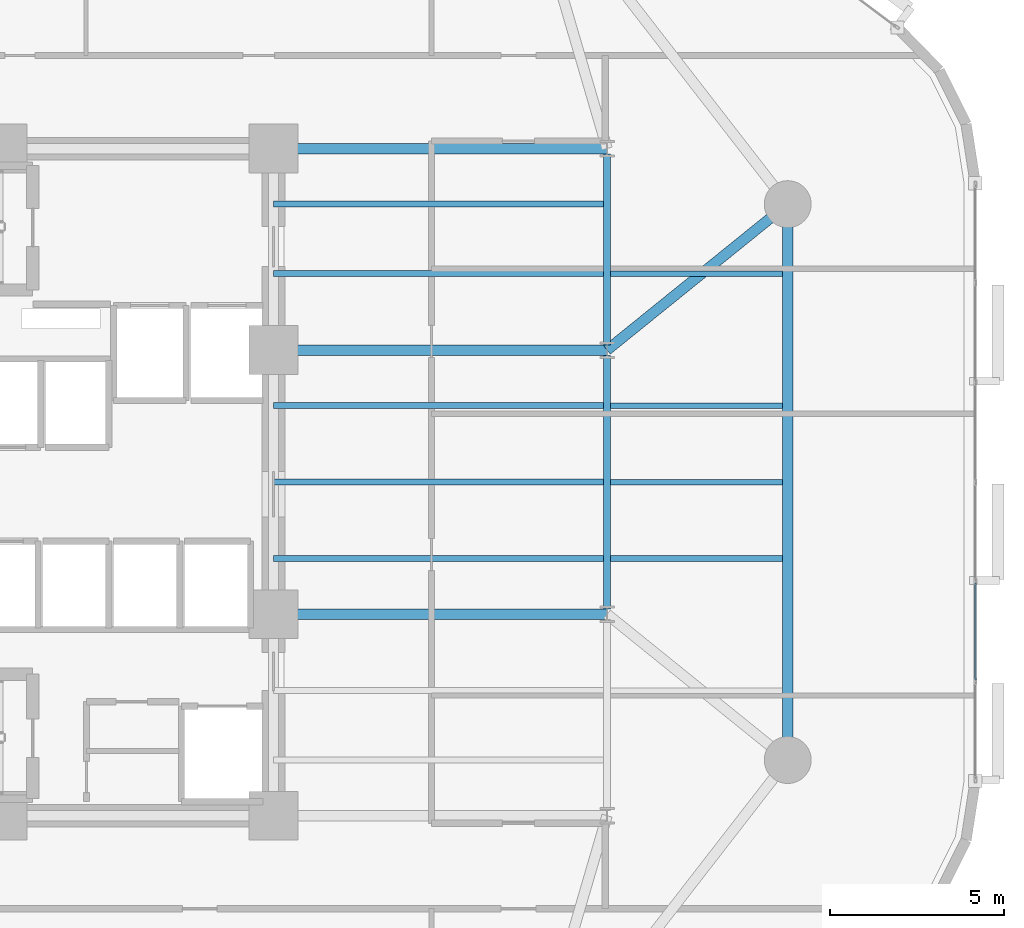
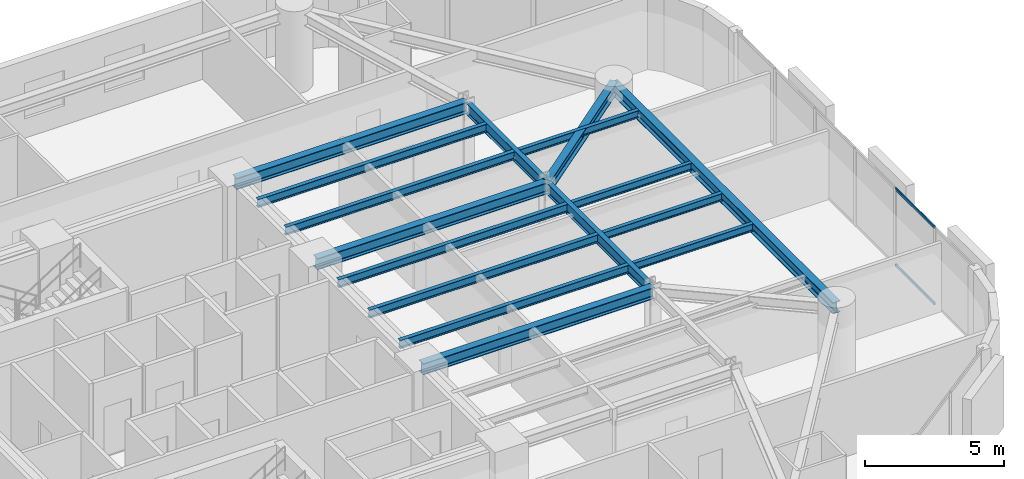
# One storey, part 5 of 15: 16 beams, 2 members, 1 element without a shape of its own.
"""IFC4 building model written with IfcOpenShell, lengths in metres."""

from ifc_helpers import new_model, si_unit, direction, frame, origin, origin_2d, place, context, subcontext, project, spatial, hollow_rectangle, i_section, extrude, material, layer, layer_set, material_profile, profile_set, type_object, element, aggregate, save


model = new_model("IFC4")

# Units and contexts
model_context = context("Model", 3, precision=1e-05, world=origin(), true_north=direction((0.0, 1.0)))
body_context = subcontext(model_context, "Body", "Model", "MODEL_VIEW")
ifc_project = project(units=[si_unit("LENGTHUNIT", "METRE"), si_unit("AREAUNIT", "SQUARE_METRE"), si_unit("VOLUMEUNIT", "CUBIC_METRE"), si_unit("PLANEANGLEUNIT", "RADIAN"), si_unit("MASSUNIT", "GRAM", prefix="KILO")], contexts=[model_context])

# Site, building, storey
site_placement = place(None, origin())
site = spatial("IfcSite", under=ifc_project, at=site_placement, CompositionType="ELEMENT")
building_placement = place(site_placement, origin())
building = spatial("IfcBuilding", under=site, at=building_placement, Name="An Khanh Terracotta Commons", CompositionType="ELEMENT")
storey_placement = place(building_placement, frame((0.0, 0.0, 122.300048828125)))
storey = spatial("IfcBuildingStorey", under=building, at=storey_placement, Name="L32", CompositionType="ELEMENT", Elevation=122.300048828125)

# Beams
ifc_material_1 = material(Name="Steel S355J2", Category="steel")
ifc_material_profile_1 = material_profile(ifc_material_1, i_section(OverallWidth=0.300048828125, OverallDepth=0.5, WebThickness=0.014404296875, FlangeThickness=0.028076171875, FilletRadius=0.027099609375, at=origin_2d()), Name="HEB500")
ifc_profile_set_1 = profile_set([ifc_material_profile_1], Name="Steel S355J2")
beam_type_1 = type_object("IfcBeamType", Name="BM-HEB500", PredefinedType="BEAM", material=ifc_profile_set_1)
beam_1_placement = place(storey_placement, frame((52.0, 16.0, 3.14990234375), z_axis=(0.0, 1.0, 0.0), x_axis=(-1.0, 0.0, 0.0)))
element("IfcBeam", 1, at=beam_1_placement, inside=storey, type_object=beam_type_1, Name="L32 Perimeter Ring Spandrel 3", PredefinedType="BEAM", context=body_context, shape_type="SweptSolid", body=[
    extrude(i_section(OverallWidth=0.300048828125, OverallDepth=0.5, WebThickness=0.014404296875, FlangeThickness=0.028076171875, FilletRadius=0.027099609375, at=origin_2d()), origin(), (0.0, 0.0, 1.0), 16.0),
])
for number, where, z_axis, x_axis, name in (
    (2, (37.199951171875, 20.199951171875, 3.14990234375), (1.0, 0.0, 0.0), (0.0, 1.0, 0.0), "L32 East Primary Floor Girder 2"),
    (3, (37.199951171875, 27.800048828125, 3.14990234375), (1.0, 0.0, 0.0), (0.0, 1.0, 0.0), "L32 East Primary Floor Girder 3"),
    (4, (37.199951171875, 33.60009765625, 3.14990234375), (1.0, 0.0, 0.0), (0.0, 1.0, 0.0), "L32 East Primary Floor Girder 4"),
):
    element("IfcBeam", number, at=place(storey_placement, frame(where, z_axis=z_axis, x_axis=x_axis)), inside=storey, type_object=beam_type_1, Name=name, PredefinedType="BEAM", context=body_context, shape_type="SweptSolid", body=[
        extrude(i_section(OverallWidth=0.300048828125, OverallDepth=0.5, WebThickness=0.014404296875, FlangeThickness=0.028076171875, FilletRadius=0.027099609375, at=origin_2d()), origin(), (0.0, 0.0, 1.0), 9.60009765625),
    ])
beam_2_placement = place(storey_placement, frame((52.0, 32.0, 3.14990234375), z_axis=(-0.777941866883, -0.628336256913, 0.0), x_axis=(0.628336256913, -0.777941866883, 0.0)))
element("IfcBeam", 5, at=beam_2_placement, inside=storey, type_object=beam_type_1, Name="L32 Mega-Column Tie Girder 4", PredefinedType="BEAM", context=body_context, shape_type="SweptSolid", body=[
    extrude(i_section(OverallWidth=0.300048828125, OverallDepth=0.5, WebThickness=0.014404296875, FlangeThickness=0.028076171875, FilletRadius=0.027099609375, at=origin_2d()), origin(), (0.0, 0.0, 1.0), 6.684326171875),
])
ifc_material_profile_2 = material_profile(ifc_material_1, i_section(OverallWidth=0.159912109375, OverallDepth=0.330078125, WebThickness=0.007568359375, FlangeThickness=0.011474609375, FilletRadius=0.01806640625, at=origin_2d()), Name="IPE330")
ifc_profile_set_2 = profile_set([ifc_material_profile_2], Name="Steel S355J2")
beam_type_2 = type_object("IfcBeamType", Name="BM-IPE330", PredefinedType="JOIST", material=ifc_profile_set_2)
for number, where, z_axis, x_axis, name in (
    (6, (46.89990234375, 21.800048828125, 3.23486328125), (1.0, 0.0, 0.0), (0.0, 1.0, 0.0), "L32 Riverfront Composite Joist 3"),
    (7, (46.89990234375, 24.0, 3.23486328125), (1.0, 0.0, 0.0), (0.0, 1.0, 0.0), "L32 Riverfront Composite Joist 4"),
    (8, (46.89990234375, 26.199951171875, 3.23486328125), (1.0, 0.0, 0.0), (0.0, 1.0, 0.0), "L32 Riverfront Composite Joist 5"),
    (9, (46.89990234375, 30.0, 3.23486328125), (1.0, 0.0, 0.0), (0.0, 1.0, 0.0), "L32 Riverfront Composite Joist 6"),
):
    element("IfcBeam", number, at=place(storey_placement, frame(where, z_axis=z_axis, x_axis=x_axis)), inside=storey, type_object=beam_type_2, Name=name, PredefinedType="JOIST", context=body_context, shape_type="SweptSolid", body=[
        extrude(i_section(OverallWidth=0.159912109375, OverallDepth=0.330078125, WebThickness=0.007568359375, FlangeThickness=0.011474609375, FilletRadius=0.01806640625, at=origin_2d()), origin(), (0.0, 0.0, 1.0), 4.9501953125),
    ])
ifc_material_profile_3 = material_profile(ifc_material_1, i_section(OverallWidth=0.169921875, OverallDepth=0.360107421875, WebThickness=0.008056640625, FlangeThickness=0.0126953125, FilletRadius=0.01806640625, at=origin_2d()), Name="IPE360")
ifc_profile_set_3 = profile_set([ifc_material_profile_3], Name="Steel S355J2")
beam_type_3 = type_object("IfcBeamType", Name="BM-IPE360", PredefinedType="JOIST", material=ifc_profile_set_3)
for number, where, z_axis, x_axis, name in (
    (10, (37.199951171875, 21.800048828125, 3.219970703125), (1.0, 0.0, 0.0), (0.0, 1.0, 0.0), "L32 Inboard Composite Joist 3"),
    (11, (37.199951171875, 24.0, 3.219970703125), (1.0, 0.0, 0.0), (0.0, 1.0, 0.0), "L32 Inboard Composite Joist 4"),
    (12, (37.199951171875, 26.199951171875, 3.219970703125), (1.0, 0.0, 0.0), (0.0, 1.0, 0.0), "L32 Inboard Composite Joist 5"),
    (13, (37.199951171875, 30.0, 3.219970703125), (1.0, 0.0, 0.0), (0.0, 1.0, 0.0), "L32 Inboard Composite Joist 6"),
    (14, (37.199951171875, 32.0, 3.219970703125), (1.0, 0.0, 0.0), (0.0, 1.0, 0.0), "L32 Inboard Composite Joist 7"),
):
    element("IfcBeam", number, at=place(storey_placement, frame(where, z_axis=z_axis, x_axis=x_axis)), inside=storey, type_object=beam_type_3, Name=name, PredefinedType="JOIST", context=body_context, shape_type="SweptSolid", body=[
        extrude(i_section(OverallWidth=0.169921875, OverallDepth=0.360107421875, WebThickness=0.008056640625, FlangeThickness=0.0126953125, FilletRadius=0.01806640625, at=origin_2d()), origin(), (0.0, 0.0, 1.0), 9.5),
    ])
ifc_material_profile_4 = material_profile(ifc_material_1, i_section(OverallWidth=0.199951171875, OverallDepth=0.5, WebThickness=0.01025390625, FlangeThickness=0.01611328125, FilletRadius=0.02099609375, at=origin_2d()), Name="IPE500")
ifc_profile_set_4 = profile_set([ifc_material_profile_4], Name="Steel S355J2")
beam_type_4 = type_object("IfcBeamType", Name="BM-IPE500", PredefinedType="BEAM", material=ifc_profile_set_4)
beam_3_placement = place(storey_placement, frame((46.800048828125, 20.35009765625, 3.14990234375), z_axis=(0.0, 1.0, 0.0), x_axis=(-1.0, 0.0, 0.0)))
element("IfcBeam", 15, at=beam_3_placement, inside=storey, type_object=beam_type_4, Name="L32 East Spine Girder 2", PredefinedType="BEAM", context=body_context, shape_type="SweptSolid", body=[
    extrude(i_section(OverallWidth=0.199951171875, OverallDepth=0.5, WebThickness=0.01025390625, FlangeThickness=0.01611328125, FilletRadius=0.02099609375, at=origin_2d()), origin(), (0.0, 0.0, 1.0), 7.2998046875),
])
beam_4_placement = place(storey_placement, frame((46.800048828125, 27.949951171875, 3.14990234375), z_axis=(0.0, 1.0, 0.0), x_axis=(-1.0, 0.0, 0.0)))
element("IfcBeam", 16, at=beam_4_placement, inside=storey, type_object=beam_type_4, Name="L32 East Spine Girder 3", PredefinedType="BEAM", context=body_context, shape_type="SweptSolid", body=[
    extrude(i_section(OverallWidth=0.199951171875, OverallDepth=0.5, WebThickness=0.01025390625, FlangeThickness=0.01611328125, FilletRadius=0.02099609375, at=origin_2d()), origin(), (0.0, 0.0, 1.0), 5.5),
])

# Curtain wall, members
ifc_material_2 = material(Name="Anodised Aluminium 6063-T6", Category="aluminium")
ifc_layer = layer(ifc_material_2, 0.199951171875, Name="Anodised Aluminium 6063-T6")
ifc_layer_set = layer_set([ifc_layer], Name="Anodised Aluminium 6063-T6")
curtain_wall_type = type_object("IfcCurtainWallType", Name="CW-SYS-02", PredefinedType="USERDEFINED", material=ifc_layer_set)
curtain_wall_placement = place(storey_placement, origin())
curtain_wall = element("IfcCurtainWall", 17, at=curtain_wall_placement, inside=storey, type_object=curtain_wall_type, Name="L32 CW-02 Unitised Curtain Wall CW-L32-12", ObjectType="UNITISED CURTAIN WALL", PredefinedType="USERDEFINED")
ifc_material_profile_5 = material_profile(ifc_material_2, hollow_rectangle(XDim=0.06005859375, YDim=0.1201171875, WallThickness=0.003662109375, InnerFilletRadius=0.003662109375, OuterFilletRadius=0.007080078125, at=origin_2d()), Name="RHS120x60x3.6")
ifc_profile_set_5 = profile_set([ifc_material_profile_5], Name="Anodised Aluminium 6063-T6")
member_type = type_object("IfcMemberType", Name="CWT-RHS120x60x3.6", PredefinedType="USERDEFINED", material=ifc_profile_set_5)
member_1_placement = place(storey_placement, frame((57.39990234375, 18.3017578125, 0.030029296875), z_axis=(0.0, 1.0, 0.0), x_axis=(-1.0, 0.0, 0.0)))
member_1 = element("IfcMember", 18, at=member_1_placement, type_object=member_type, Name="CW-02 transom 2.1", ObjectType="TRANSOM", PredefinedType="USERDEFINED", context=body_context, shape_type="SweptSolid", body=[
    extrude(hollow_rectangle(XDim=0.06005859375, YDim=0.1201171875, WallThickness=0.003662109375, InnerFilletRadius=0.003662109375, OuterFilletRadius=0.007080078125, at=origin_2d()), origin(), (0.0, 0.0, 1.0), 2.796630859375),
])
member_2_placement = place(storey_placement, frame((57.39990234375, 18.3017578125, 3.369873046875), z_axis=(0.0, 1.0, 0.0), x_axis=(-1.0, 0.0, 0.0)))
member_2 = element("IfcMember", 19, at=member_2_placement, type_object=member_type, Name="CW-02 transom 2.2", ObjectType="TRANSOM", PredefinedType="USERDEFINED", context=body_context, shape_type="SweptSolid", body=[
    extrude(hollow_rectangle(XDim=0.06005859375, YDim=0.1201171875, WallThickness=0.003662109375, InnerFilletRadius=0.003662109375, OuterFilletRadius=0.007080078125, at=origin_2d()), origin(), (0.0, 0.0, 1.0), 2.796630859375),
])
aggregate(curtain_wall, [member_1, member_2])

save(model, "model.ifc")
